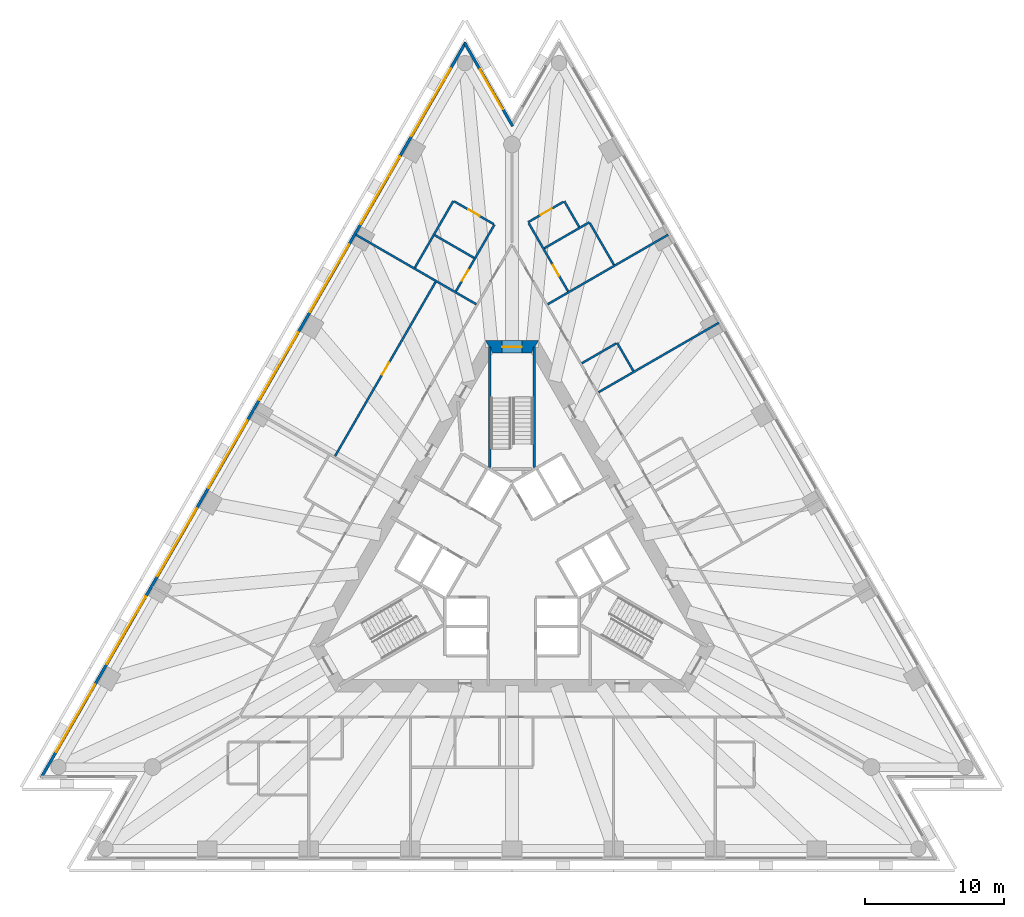
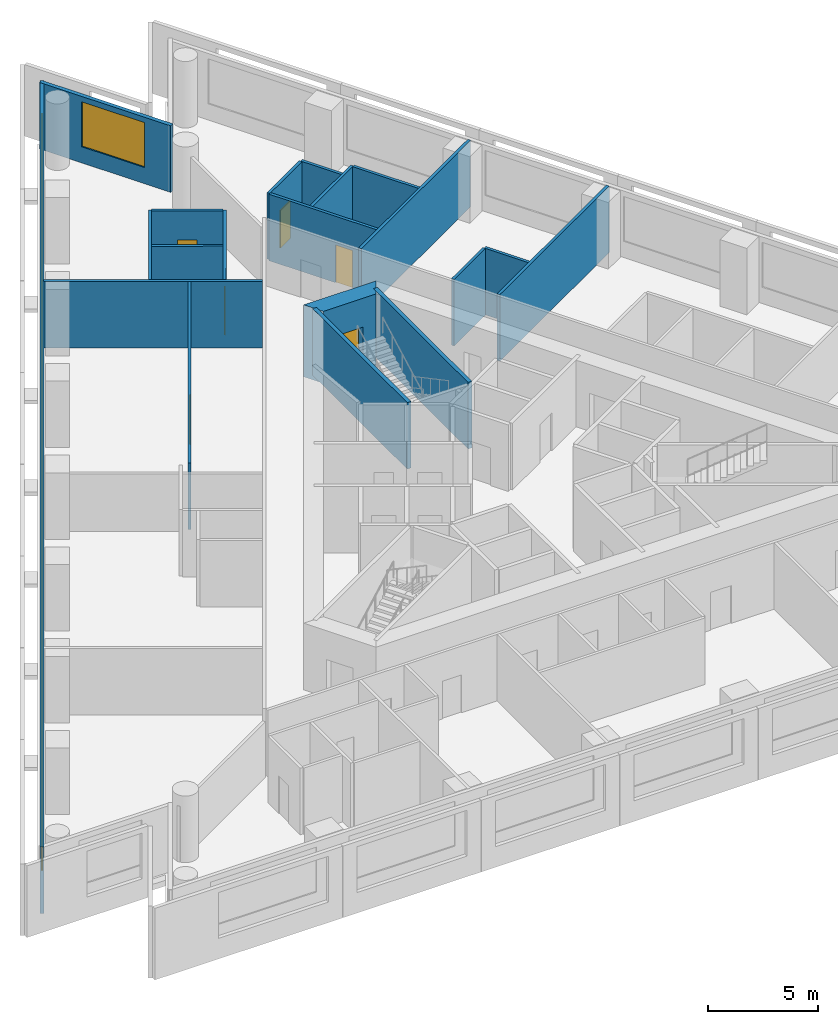
# One storey, part 7 of 11: 20 walls, 9 windows, 6 doors, 15 openings.
"""IFC4 building model written with IfcOpenShell, lengths in metres."""

import ifcopenshell
import ifcopenshell.guid

model = None  # the IFC model being written
_history = None  # IfcOwnerHistory: only IFC2X3 demands one
_inside = {}  # id of a spatial element -> (the spatial element, [elements in it])
_under = {}  # id of a project, library or spatial element -> (it, [spatial elements below it])
_declared = {}  # id of a project -> (the project, [libraries it declares])
_typed = {}  # id of a type object -> (the type object, [elements of that type])
_made_of = {}  # id of a material, layer set ... -> (it, [elements and type objects made of it])


def new_model(schema):
    """Start an empty IFC model of exactly this schema.

    Asked for "IFC4X3", IfcOpenShell would pick the latest addendum, in which some entities
    have other attributes; the version numbers below select the first issue.
    IFC2X3 requires an IfcOwnerHistory on every rooted entity: one is made here for all.
    """
    global model, _history
    if schema == "IFC4X3":
        model = ifcopenshell.file(schema_version=(4, 3, 0, 0))
    else:
        model = ifcopenshell.file(schema=schema)
    _inside.clear()
    _under.clear()
    _declared.clear()
    _typed.clear()
    _made_of.clear()
    _history = None
    if model.schema == "IFC2X3":
        org = make("IfcOrganization", Name="unknown")
        user = make(
            "IfcPersonAndOrganization",
            ThePerson=make("IfcPerson", FamilyName="unknown"),
            TheOrganization=org,
        )
        app = make(
            "IfcApplication",
            ApplicationDeveloper=org,
            Version="unknown",
            ApplicationFullName="unknown",
            ApplicationIdentifier="unknown",
        )
        _history = make(
            "IfcOwnerHistory",
            OwningUser=user,
            OwningApplication=app,
            ChangeAction="ADDED",
            CreationDate=0,
        )
    return model


def make(cls, **values):
    """One entity of the class cls with the attributes given. An attribute that is None is left unset."""
    return model.create_entity(
        cls, **{name: value for name, value in values.items() if value is not None}
    )


def rooted(cls, **values):
    """An entity with a GlobalId (a new one), such as an element, a storey or a relation."""
    return make(cls, GlobalId=ifcopenshell.guid.new(), OwnerHistory=_history, **values)


def si_unit(unit_type, name, prefix=None):
    """IfcSIUnit, for example si_unit("LENGTHUNIT", "METRE", prefix="MILLI")."""
    return make("IfcSIUnit", UnitType=unit_type, Prefix=prefix, Name=name)


def assignment(units):
    """IfcUnitAssignment: the units of a project."""
    return None if units is None else make("IfcUnitAssignment", Units=units)


def point(xyz):
    """IfcCartesianPoint."""
    return None if xyz is None else make("IfcCartesianPoint", Coordinates=xyz)


def direction(xyz):
    """IfcDirection."""
    return None if xyz is None else make("IfcDirection", DirectionRatios=xyz)


def frame(location, z_axis=None, x_axis=None):
    """IfcAxis2Placement3D, a coordinate frame: its origin and axes. An axis left out is left unset."""
    return make(
        "IfcAxis2Placement3D",
        Location=point(location),
        Axis=direction(z_axis),
        RefDirection=direction(x_axis),
    )


def frame_2d(location, x_axis=None):
    """IfcAxis2Placement2D, a coordinate frame in the plane: its origin and x axis."""
    return make(
        "IfcAxis2Placement2D", Location=point(location), RefDirection=direction(x_axis)
    )


def origin():
    """The frame at (0, 0, 0) with its axes left unset."""
    return frame((0.0, 0.0, 0.0))


def place(relative_to, where):
    """IfcLocalPlacement: puts the frame where relative to a parent placement (None: the world)."""
    return make(
        "IfcLocalPlacement", PlacementRelTo=relative_to, RelativePlacement=where
    )


def context(
    kind, dimensions, precision=None, world=None, true_north=None, identifier=None
):
    """IfcGeometricRepresentationContext, for example the 3D "Model" context."""
    return make(
        "IfcGeometricRepresentationContext",
        ContextIdentifier=identifier,
        ContextType=kind,
        CoordinateSpaceDimension=dimensions,
        Precision=precision,
        WorldCoordinateSystem=world,
        TrueNorth=true_north,
    )


def subcontext(parent, identifier, kind, view, scale=None):
    """IfcGeometricRepresentationSubContext, for example "Body" below "Model"."""
    return make(
        "IfcGeometricRepresentationSubContext",
        ContextIdentifier=identifier,
        ContextType=kind,
        ParentContext=parent,
        TargetScale=scale,
        TargetView=view,
    )


def project(units=None, contexts=None):
    """IfcProject with its units and contexts."""
    return rooted(
        "IfcProject",
        Name="project",
        RepresentationContexts=contexts,
        UnitsInContext=assignment(units),
    )


def spatial(cls, under=None, at=None, **own):
    """A site, building, storey or space (cls), placed at a placement, below another one or the project."""
    s = rooted(cls, ObjectPlacement=at, **own)
    if under is not None:
        _under.setdefault(under.id(), (under, []))[1].append(s)
    return s


def polyline(points):
    """IfcPolyline through the points."""
    return make("IfcPolyline", Points=[point(p) for p in points])


def profile(cls, at=None, kind="AREA", **sizes):
    """A parametric profile (cls). Its sizes go by their IFC names, for example OverallWidth=200.0."""
    return make(cls, ProfileType=kind, Position=at, **sizes)


def rectangle(**sizes):
    """IfcRectangleProfileDef."""
    return profile("IfcRectangleProfileDef", **sizes)


def outline(outer, holes=None, kind="AREA"):
    """IfcArbitraryClosedProfileDef: a profile drawn as a closed curve; with holes, ...WithVoids."""
    if holes is None:
        return make("IfcArbitraryClosedProfileDef", ProfileType=kind, OuterCurve=outer)
    return make(
        "IfcArbitraryProfileDefWithVoids",
        ProfileType=kind,
        OuterCurve=outer,
        InnerCurves=holes,
    )


def extrude(swept, where, along, depth):
    """IfcExtrudedAreaSolid: the profile swept, set in the frame where, extruded along a direction by depth."""
    return make(
        "IfcExtrudedAreaSolid",
        SweptArea=swept,
        Position=where,
        ExtrudedDirection=direction(along),
        Depth=depth,
    )


def shape(context_of_items, identifier, shape_type, items):
    """IfcShapeRepresentation: the items that make up one representation, for example the "Body"."""
    return make(
        "IfcShapeRepresentation",
        ContextOfItems=context_of_items,
        RepresentationIdentifier=identifier,
        RepresentationType=shape_type,
        Items=items,
    )


def material(Name=None, Category=None):
    """IfcMaterial."""
    return make("IfcMaterial", Name=Name, Category=Category)


def layer(
    of_material, thickness, ventilated=None, Name=None, Category=None, Priority=None
):
    """IfcMaterialLayer: one layer of a wall or slab, of a material (None: an air gap)."""
    return make(
        "IfcMaterialLayer",
        Material=of_material,
        LayerThickness=thickness,
        IsVentilated=ventilated,
        Name=Name,
        Category=Category,
        Priority=Priority,
    )


def layer_set(layers, Name=None):
    """IfcMaterialLayerSet."""
    return make("IfcMaterialLayerSet", MaterialLayers=layers, LayerSetName=Name)


def layer_usage(for_layer_set, set_direction, sense, offset, extent=None):
    """IfcMaterialLayerSetUsage: how a layer set lies in its element."""
    return make(
        "IfcMaterialLayerSetUsage",
        ForLayerSet=for_layer_set,
        LayerSetDirection=set_direction,
        DirectionSense=sense,
        OffsetFromReferenceLine=offset,
        ReferenceExtent=extent,
    )


def made_of(thing, what):
    """Note that an element or type object is made of a material, layer set ...; save() writes the relation."""
    if what is not None:
        _made_of.setdefault(what.id(), (what, []))[1].append(thing)
    return thing


def type_object(cls, material=None, **own):
    """A type object (cls), such as IfcWallType, which elements share."""
    return made_of(rooted(cls, **own), material)


def element(
    cls,
    number,
    at=None,
    inside=None,
    cuts=None,
    type_object=None,
    material=None,
    context=None,
    identifier="Body",
    shape_type=None,
    held_by="IfcProductDefinitionShape",
    body=None,
    shapes=None,
    **own,
):
    """One element of the class cls, such as IfcWall. Its Tag is "e" and its number.

    at: its placement. inside: the storey or other place that contains it. cuts: it is an
    opening in that element (IfcRelVoidsElement). A single representation is given by context,
    identifier, shape_type and body (its items); several are given by shapes. held_by: the class
    of the entity that holds the representations. save() writes the other relations.
    """
    e = rooted(cls, Tag="e%d" % number, ObjectPlacement=at, **own)
    if body is not None:
        shapes = [shape(context, identifier, shape_type, body)]
    if shapes is not None:
        e.Representation = make(held_by, Representations=shapes)
    if inside is not None:
        _inside.setdefault(inside.id(), (inside, []))[1].append(e)
    if cuts is not None:
        rooted(
            "IfcRelVoidsElement", RelatingBuildingElement=cuts, RelatedOpeningElement=e
        )
    if type_object is not None:
        _typed.setdefault(type_object.id(), (type_object, []))[1].append(e)
    return made_of(e, material)


def fill(opening, filler):
    """IfcRelFillsElement: the door or window that sits in an opening."""
    return rooted(
        "IfcRelFillsElement",
        RelatingOpeningElement=opening,
        RelatedBuildingElement=filler,
    )


def aggregate(whole, parts):
    """IfcRelAggregates: a whole, such as a stair, and the parts it consists of."""
    return rooted("IfcRelAggregates", RelatingObject=whole, RelatedObjects=parts)


def save(model, path):
    """Write the relations noted so far, then the file.

    IfcRelAggregates (storeys below a building ...), IfcRelContainedInSpatialStructure (elements
    in a storey), IfcRelDefinesByType, IfcRelAssociatesMaterial and IfcRelDeclares: one each for
    every whole, place, type object, material and project.
    """
    for whole, parts in _under.values():
        aggregate(whole, parts)
    for where, things in _inside.values():
        rooted(
            "IfcRelContainedInSpatialStructure",
            RelatedElements=things,
            RelatingStructure=where,
        )
    for kind, things in _typed.values():
        rooted("IfcRelDefinesByType", RelatedObjects=things, RelatingType=kind)
    for what, things in _made_of.values():
        rooted("IfcRelAssociatesMaterial", RelatedObjects=things, RelatingMaterial=what)
    for by, libraries in _declared.values():
        rooted("IfcRelDeclares", RelatingContext=by, RelatedDefinitions=libraries)
    model.write(path)


model = new_model("IFC4")

# Units and contexts
model_context = context("Model", 3, precision=1e-05, world=origin(), true_north=direction((0.0, 1.0)))
body_context = subcontext(model_context, "Body", "Model", "MODEL_VIEW")
ifc_project = project(units=[si_unit("LENGTHUNIT", "METRE"), si_unit("AREAUNIT", "SQUARE_METRE"), si_unit("VOLUMEUNIT", "CUBIC_METRE"), si_unit("PLANEANGLEUNIT", "RADIAN"), si_unit("MASSUNIT", "GRAM", prefix="KILO")], contexts=[model_context])

# Site, building, storey
site_placement = place(None, origin())
site = spatial("IfcSite", under=ifc_project, at=site_placement, CompositionType="ELEMENT")
building_placement = place(site_placement, origin())
building = spatial("IfcBuilding", under=site, at=building_placement, Name="Triada Interchange Tower", CompositionType="ELEMENT")
storey_placement = place(building_placement, frame((0.0, 0.0, 75.300048828125)))
storey = spatial("IfcBuildingStorey", under=building, at=storey_placement, Name="L16", CompositionType="ELEMENT", Elevation=75.300048828125)

# Walls
ifc_material_1 = material(Name="Concrete C30/37", Category="concrete")
ifc_layer_1 = layer(ifc_material_1, 0.199951171875)
ifc_layer_set_1 = layer_set([ifc_layer_1], Name="CORE WALL 200 REI 240")
wall_type_1 = type_object("IfcWallType", Name="CORE WALL 200 REI 240", PredefinedType="SOLIDWALL", material=ifc_layer_set_1)
for number, where, z_axis, x_axis, name in (
    (1, (1.60009765625, 6.614990234375, 0.0), (0.0, 0.0, 1.0), (0.0, 1.0, 0.0), "Wall L15 96"),
    (2, (-1.60009765625, 6.614990234375, 0.0), (0.0, 0.0, 1.0), (0.0, 1.0, 0.0), "Wall L15 98"),
):
    element("IfcWall", number, at=place(storey_placement, frame(where, z_axis=z_axis, x_axis=x_axis)), inside=storey, type_object=wall_type_1, Name=name, PredefinedType="SOLIDWALL", context=body_context, shape_type="SweptSolid", body=[
        extrude(rectangle(XDim=8.614990234375, YDim=0.199951171875, at=frame_2d((4.3076171875, 0.0))), origin(), (0.0, 0.0, 1.0), 3.699951171875),
    ])

# Wall, opening, door
ifc_material_2 = material(Name="Concrete C70/85", Category="concrete")
ifc_layer_2 = layer(ifc_material_2, 0.89990234375)
ifc_layer_set_2 = layer_set([ifc_layer_2], Name="Core wall A 900")
wall_type_2 = type_object("IfcWallType", Name="Core wall A 900", PredefinedType="SHEAR", material=ifc_layer_set_2)
wall_1_placement = place(storey_placement, frame((1.64501953125, 15.25, -0.300048828125), z_axis=(0.0, 0.0, 1.0), x_axis=(-1.0, 0.0, 0.0)))
wall_1 = element("IfcWall", 3, at=wall_1_placement, inside=storey, type_object=wall_type_2, Name="Core wall WA01 L16", PredefinedType="SHEAR", context=body_context, shape_type="SweptSolid", body=[
    extrude(outline(polyline([(-0.260009765625, -0.449951171875), (1.64501953125, -0.449951171875), (3.550048828125, -0.449951171875), (3.031005859375, 0.449951171875), (1.64501953125, 0.449951171875), (0.259033203125, 0.449951171875), (-0.260009765625, -0.449951171875)])), origin(), (0.0, 0.0, 1.0), 4.0),
])
opening_1_placement = place(wall_1_placement, frame((0.945068359375, 0.0, 0.300048828125)))
opening_1 = element("IfcOpeningElement", 4, at=opening_1_placement, cuts=wall_1, Name="Opening D15-44", PredefinedType="OPENING", context=body_context, shape_type="SweptSolid", body=[
    extrude(rectangle(XDim=1.39990234375, YDim=2.10009765625, at=frame_2d((0.699951171875, 1.050048828125))), frame((0.0, 0.4599609375, 0.0), z_axis=(0.0, -1.0, 0.0), x_axis=(1.0, 0.0, 0.0)), (0.0, 0.0, 1.0), 0.919921875),
])
ifc_material_3 = material(Name="Steel S235 door leaf", Category="steel")
door_type_1 = type_object("IfcDoorType", Name="STAIR DOOR 1400 EI2 90-C5S200", OperationType="DOUBLE_DOOR_SINGLE_SWING", PredefinedType="DOOR", material=ifc_material_3)
door_1_placement = place(opening_1_placement, origin())
door_1 = element("IfcDoor", 5, at=door_1_placement, inside=storey, type_object=door_type_1, Name="Door D15-44 L16", OperationType="DOUBLE_DOOR_SINGLE_SWING", OverallHeight=2.10009765625, OverallWidth=1.39990234375, PredefinedType="DOOR", context=body_context, shape_type="SweptSolid", body=[
    extrude(rectangle(XDim=1.39990234375, YDim=2.10009765625, at=frame_2d((0.699951171875, 1.050048828125))), frame((0.0, 0.02490234375, 0.0), z_axis=(0.0, -1.0, 0.0), x_axis=(1.0, 0.0, 0.0)), (0.0, 0.0, 1.0), 0.050048828125),
])
fill(opening_1, door_1)

# Wall, openings, windows
ifc_material_4 = material(Name="Cement board")
ifc_layer_3 = layer(ifc_material_4, 0.02001953125, Name="Cement board cladding")
ifc_material_5 = material(Name="Sheathing board")
ifc_layer_4 = layer(ifc_material_5, 0.014892578125, Name="Sheathing board")
ifc_material_6 = material(Name="Mineral wool")
ifc_layer_5 = layer(ifc_material_6, 0.14990234375, Name="Mineral wool between steel studs")
ifc_material_7 = material(Name="Gypsum board")
ifc_layer_6 = layer(ifc_material_7, 0.014892578125, Name="Plasterboard lining")
ifc_layer_set_3 = layer_set([ifc_layer_3, ifc_layer_4, ifc_layer_5, ifc_layer_6], Name="External wall 200")
ifc_layer_usage = layer_usage(ifc_layer_set_3, "AXIS2", "POSITIVE", -0.10009765625)
wall_type_3 = type_object("IfcWallType", Name="External wall 200", PredefinedType="ELEMENTEDWALL", material=ifc_layer_set_3)
wall_2_placement = place(storey_placement, frame((-3.325927734375, 37.083984375, 0.0), z_axis=(0.0, 0.0, 1.0), x_axis=(-0.500000131003, -0.86602532815, 0.0)))
wall_2 = element("IfcWall", 6, at=wall_2_placement, inside=storey, type_object=wall_type_3, material=ifc_layer_usage, Name="External wall L16 NW", PredefinedType="ELEMENTEDWALL", context=body_context, shape_type="SweptSolid", body=[
    extrude(rectangle(XDim=60.88623046875, YDim=0.199951171875, at=frame_2d((30.443115234375, 0.0))), origin(), (0.0, 0.0, 1.0), 3.699951171875),
])
opening_2_placement = place(wall_2_placement, frame((2.14599609375, 0.0, 0.89990234375)))
opening_2 = element("IfcOpeningElement", 7, at=opening_2_placement, cuts=wall_2, Name="Opening WA01", PredefinedType="OPENING", context=body_context, shape_type="SweptSolid", body=[
    extrude(rectangle(XDim=5.60009765625, YDim=2.5, at=frame_2d((2.800048828125, 1.25))), frame((0.0, 0.10986328125, 0.0), z_axis=(0.0, -1.0, 0.0), x_axis=(1.0, 0.0, 0.0)), (0.0, 0.0, 1.0), 0.219970703125),
])
opening_3_placement = place(wall_2_placement, frame((9.43408203125, 0.0, 0.89990234375)))
opening_3 = element("IfcOpeningElement", 8, at=opening_3_placement, cuts=wall_2, Name="Opening WA02", PredefinedType="OPENING", context=body_context, shape_type="SweptSolid", body=[
    extrude(rectangle(XDim=5.60009765625, YDim=2.5, at=frame_2d((2.800048828125, 1.25))), frame((0.0, 0.10986328125, 0.0), z_axis=(0.0, -1.0, 0.0), x_axis=(1.0, 0.0, 0.0)), (0.0, 0.0, 1.0), 0.219970703125),
])
opening_4_placement = place(wall_2_placement, frame((16.720947265625, 0.0, 0.89990234375)))
opening_4 = element("IfcOpeningElement", 9, at=opening_4_placement, cuts=wall_2, Name="Opening WA03", PredefinedType="OPENING", context=body_context, shape_type="SweptSolid", body=[
    extrude(rectangle(XDim=5.60009765625, YDim=2.5, at=frame_2d((2.800048828125, 1.25))), frame((0.0, 0.10986328125, 0.0), z_axis=(0.0, -1.0, 0.0), x_axis=(1.0, 0.0, 0.0)), (0.0, 0.0, 1.0), 0.219970703125),
])
opening_5_placement = place(wall_2_placement, frame((24.009033203125, 0.0, 0.89990234375)))
opening_5 = element("IfcOpeningElement", 10, at=opening_5_placement, cuts=wall_2, Name="Opening WA04", PredefinedType="OPENING", context=body_context, shape_type="SweptSolid", body=[
    extrude(rectangle(XDim=5.60009765625, YDim=2.5, at=frame_2d((2.800048828125, 1.25))), frame((0.0, 0.10986328125, 0.0), z_axis=(0.0, -1.0, 0.0), x_axis=(1.0, 0.0, 0.0)), (0.0, 0.0, 1.0), 0.219970703125),
])
opening_6_placement = place(wall_2_placement, frame((31.297119140625, 0.0, 0.89990234375)))
opening_6 = element("IfcOpeningElement", 11, at=opening_6_placement, cuts=wall_2, Name="Opening WA05", PredefinedType="OPENING", context=body_context, shape_type="SweptSolid", body=[
    extrude(rectangle(XDim=5.60009765625, YDim=2.5, at=frame_2d((2.800048828125, 1.25))), frame((0.0, 0.10986328125, 0.0), z_axis=(0.0, -1.0, 0.0), x_axis=(1.0, 0.0, 0.0)), (0.0, 0.0, 1.0), 0.219970703125),
])
opening_7_placement = place(wall_2_placement, frame((38.583984375, 0.0, 0.89990234375)))
opening_7 = element("IfcOpeningElement", 12, at=opening_7_placement, cuts=wall_2, Name="Opening WA06", PredefinedType="OPENING", context=body_context, shape_type="SweptSolid", body=[
    extrude(rectangle(XDim=5.60009765625, YDim=2.5, at=frame_2d((2.800048828125, 1.25))), frame((0.0, 0.10986328125, 0.0), z_axis=(0.0, -1.0, 0.0), x_axis=(1.0, 0.0, 0.0)), (0.0, 0.0, 1.0), 0.219970703125),
])
opening_8_placement = place(wall_2_placement, frame((45.8720703125, 0.0, 0.89990234375)))
opening_8 = element("IfcOpeningElement", 13, at=opening_8_placement, cuts=wall_2, Name="Opening WA07", PredefinedType="OPENING", context=body_context, shape_type="SweptSolid", body=[
    extrude(rectangle(XDim=5.60009765625, YDim=2.5, at=frame_2d((2.800048828125, 1.25))), frame((0.0, 0.10986328125, 0.0), z_axis=(0.0, -1.0, 0.0), x_axis=(1.0, 0.0, 0.0)), (0.0, 0.0, 1.0), 0.219970703125),
])
opening_9_placement = place(wall_2_placement, frame((53.158935546875, 0.0, 0.89990234375)))
opening_9 = element("IfcOpeningElement", 14, at=opening_9_placement, cuts=wall_2, Name="Opening WA08", PredefinedType="OPENING", context=body_context, shape_type="SweptSolid", body=[
    extrude(rectangle(XDim=5.60009765625, YDim=2.5, at=frame_2d((2.800048828125, 1.25))), frame((0.0, 0.10986328125, 0.0), z_axis=(0.0, -1.0, 0.0), x_axis=(1.0, 0.0, 0.0)), (0.0, 0.0, 1.0), 0.219970703125),
])
ifc_material_8 = material(Name="Double glazed aluminium window", Category="aluminium")
window_type_1 = type_object("IfcWindowType", Name="Ribbon window A face", PartitioningType="SINGLE_PANEL", PredefinedType="WINDOW", material=ifc_material_8)
window_1_placement = place(opening_2_placement, origin())
window_1 = element("IfcWindow", 15, at=window_1_placement, inside=storey, type_object=window_type_1, Name="Window L16 NW 1", OverallHeight=2.5, OverallWidth=5.60009765625, PartitioningType="SINGLE_PANEL", PredefinedType="WINDOW", context=body_context, shape_type="SweptSolid", body=[
    extrude(rectangle(XDim=5.60009765625, YDim=2.5, at=frame_2d((2.800048828125, 1.25))), frame((0.0, 0.030029296875, 0.0), z_axis=(0.0, -1.0, 0.0), x_axis=(1.0, 0.0, 0.0)), (0.0, 0.0, 1.0), 0.06005859375),
])
fill(opening_2, window_1)
window_2_placement = place(opening_3_placement, origin())
window_2 = element("IfcWindow", 16, at=window_2_placement, inside=storey, type_object=window_type_1, Name="Window L16 NW 2", OverallHeight=2.5, OverallWidth=5.60009765625, PartitioningType="SINGLE_PANEL", PredefinedType="WINDOW", context=body_context, shape_type="SweptSolid", body=[
    extrude(rectangle(XDim=5.60009765625, YDim=2.5, at=frame_2d((2.800048828125, 1.25))), frame((0.0, 0.030029296875, 0.0), z_axis=(0.0, -1.0, 0.0), x_axis=(1.0, 0.0, 0.0)), (0.0, 0.0, 1.0), 0.06005859375),
])
fill(opening_3, window_2)
window_3_placement = place(opening_4_placement, origin())
window_3 = element("IfcWindow", 17, at=window_3_placement, inside=storey, type_object=window_type_1, Name="Window L16 NW 3", OverallHeight=2.5, OverallWidth=5.60009765625, PartitioningType="SINGLE_PANEL", PredefinedType="WINDOW", context=body_context, shape_type="SweptSolid", body=[
    extrude(rectangle(XDim=5.60009765625, YDim=2.5, at=frame_2d((2.800048828125, 1.25))), frame((0.0, 0.030029296875, 0.0), z_axis=(0.0, -1.0, 0.0), x_axis=(1.0, 0.0, 0.0)), (0.0, 0.0, 1.0), 0.06005859375),
])
fill(opening_4, window_3)
window_4_placement = place(opening_5_placement, origin())
window_4 = element("IfcWindow", 18, at=window_4_placement, inside=storey, type_object=window_type_1, Name="Window L16 NW 4", OverallHeight=2.5, OverallWidth=5.60009765625, PartitioningType="SINGLE_PANEL", PredefinedType="WINDOW", context=body_context, shape_type="SweptSolid", body=[
    extrude(rectangle(XDim=5.60009765625, YDim=2.5, at=frame_2d((2.800048828125, 1.25))), frame((0.0, 0.030029296875, 0.0), z_axis=(0.0, -1.0, 0.0), x_axis=(1.0, 0.0, 0.0)), (0.0, 0.0, 1.0), 0.06005859375),
])
fill(opening_5, window_4)
window_5_placement = place(opening_6_placement, origin())
window_5 = element("IfcWindow", 19, at=window_5_placement, inside=storey, type_object=window_type_1, Name="Window L16 NW 5", OverallHeight=2.5, OverallWidth=5.60009765625, PartitioningType="SINGLE_PANEL", PredefinedType="WINDOW", context=body_context, shape_type="SweptSolid", body=[
    extrude(rectangle(XDim=5.60009765625, YDim=2.5, at=frame_2d((2.800048828125, 1.25))), frame((0.0, 0.030029296875, 0.0), z_axis=(0.0, -1.0, 0.0), x_axis=(1.0, 0.0, 0.0)), (0.0, 0.0, 1.0), 0.06005859375),
])
fill(opening_6, window_5)
window_6_placement = place(opening_7_placement, origin())
window_6 = element("IfcWindow", 20, at=window_6_placement, inside=storey, type_object=window_type_1, Name="Window L16 NW 6", OverallHeight=2.5, OverallWidth=5.60009765625, PartitioningType="SINGLE_PANEL", PredefinedType="WINDOW", context=body_context, shape_type="SweptSolid", body=[
    extrude(rectangle(XDim=5.60009765625, YDim=2.5, at=frame_2d((2.800048828125, 1.25))), frame((0.0, 0.030029296875, 0.0), z_axis=(0.0, -1.0, 0.0), x_axis=(1.0, 0.0, 0.0)), (0.0, 0.0, 1.0), 0.06005859375),
])
fill(opening_7, window_6)
window_7_placement = place(opening_8_placement, origin())
window_7 = element("IfcWindow", 21, at=window_7_placement, inside=storey, type_object=window_type_1, Name="Window L16 NW 7", OverallHeight=2.5, OverallWidth=5.60009765625, PartitioningType="SINGLE_PANEL", PredefinedType="WINDOW", context=body_context, shape_type="SweptSolid", body=[
    extrude(rectangle(XDim=5.60009765625, YDim=2.5, at=frame_2d((2.800048828125, 1.25))), frame((0.0, 0.030029296875, 0.0), z_axis=(0.0, -1.0, 0.0), x_axis=(1.0, 0.0, 0.0)), (0.0, 0.0, 1.0), 0.06005859375),
])
fill(opening_8, window_7)
window_8_placement = place(opening_9_placement, origin())
window_8 = element("IfcWindow", 22, at=window_8_placement, inside=storey, type_object=window_type_1, Name="Window L16 NW 8", OverallHeight=2.5, OverallWidth=5.60009765625, PartitioningType="SINGLE_PANEL", PredefinedType="WINDOW", context=body_context, shape_type="SweptSolid", body=[
    extrude(rectangle(XDim=5.60009765625, YDim=2.5, at=frame_2d((2.800048828125, 1.25))), frame((0.0, 0.030029296875, 0.0), z_axis=(0.0, -1.0, 0.0), x_axis=(1.0, 0.0, 0.0)), (0.0, 0.0, 1.0), 0.06005859375),
])
fill(opening_9, window_8)

# Wall, opening, window
wall_3_placement = place(storey_placement, frame((0.044921875, 31.090087890625, 0.0), z_axis=(0.0, 0.0, 1.0), x_axis=(-0.500023561059, 0.866011800373, 0.0)))
wall_3 = element("IfcWall", 23, at=wall_3_placement, inside=storey, type_object=wall_type_3, material=ifc_layer_usage, Name="External wall L16 N-2", PredefinedType="ELEMENTEDWALL", context=body_context, shape_type="SweptSolid", body=[
    extrude(rectangle(XDim=6.901611328125, YDim=0.199951171875, at=frame_2d((3.45068359375, 0.0))), origin(), (0.0, 0.0, 1.0), 3.699951171875),
])
opening_10_placement = place(wall_3_placement, frame((1.389892578125, 0.0, 0.89990234375)))
opening_10 = element("IfcOpeningElement", 24, at=opening_10_placement, cuts=wall_3, Name="Opening WA30", PredefinedType="OPENING", context=body_context, shape_type="SweptSolid", body=[
    extrude(rectangle(XDim=3.300048828125, YDim=2.5, at=frame_2d((1.64990234375, 1.25))), frame((0.0, 0.10986328125, 0.0), z_axis=(0.0, -1.0, 0.0), x_axis=(1.0, 0.0, 0.0)), (0.0, 0.0, 1.0), 0.219970703125),
])
window_type_2 = type_object("IfcWindowType", Name="Ribbon window A pocket", PartitioningType="SINGLE_PANEL", PredefinedType="WINDOW", material=ifc_material_8)
window_9_placement = place(opening_10_placement, origin())
window_9 = element("IfcWindow", 25, at=window_9_placement, inside=storey, type_object=window_type_2, Name="Window L16 N-2 1", OverallHeight=2.5, OverallWidth=3.300048828125, PartitioningType="SINGLE_PANEL", PredefinedType="WINDOW", context=body_context, shape_type="SweptSolid", body=[
    extrude(rectangle(XDim=3.300048828125, YDim=2.5, at=frame_2d((1.64990234375, 1.25))), frame((0.0, 0.030029296875, 0.0), z_axis=(0.0, -1.0, 0.0), x_axis=(1.0, 0.0, 0.0)), (0.0, 0.0, 1.0), 0.06005859375),
])
fill(opening_10, window_9)

# Walls
ifc_material_9 = material(Name="Gypsum board partition")
ifc_layer_7 = layer(ifc_material_9, 0.14990234375)
ifc_layer_set_4 = layer_set([ifc_layer_7], Name="PARTITION 150 EI 180")
wall_type_4 = type_object("IfcWallType", Name="PARTITION 150 EI 180", PredefinedType="PARTITIONING", material=ifc_layer_set_4)
for number, where, z_axis, x_axis, name in (
    (26, (-11.195068359375, 23.2939453125, 0.0), (0.0, 0.0, 1.0), (0.866018758693, -0.500011509459, 0.0), "Wall L15 14"),
    (27, (2.56298828125, 18.31005859375, 0.0), (0.0, 0.0, 1.0), (0.866018758693, 0.500011509459, 0.0), "Wall L15 22"),
):
    element("IfcWall", number, at=place(storey_placement, frame(where, z_axis=z_axis, x_axis=x_axis)), inside=storey, type_object=wall_type_4, Name=name, PredefinedType="PARTITIONING", context=body_context, shape_type="SweptSolid", body=[
        extrude(rectangle(XDim=9.967529296875, YDim=0.14990234375, at=frame_2d((4.98388671875, 0.0))), origin(), (0.0, 0.0, 1.0), 3.699951171875),
    ])
wall_4_placement = place(storey_placement, frame((7.5400390625, 15.5400390625, 0.0), z_axis=(0.0, 0.0, 1.0), x_axis=(0.499988999718, -0.866031754707, 0.0)))
element("IfcWall", 28, at=wall_4_placement, inside=storey, type_object=wall_type_4, Name="Wall L15 23", PredefinedType="PARTITIONING", context=body_context, shape_type="SweptSolid", body=[
    extrude(rectangle(XDim=2.32568359375, YDim=0.14990234375, at=frame_2d((1.162841796875, 0.0))), origin(), (0.0, 0.0, 1.0), 3.699951171875),
])
wall_5_placement = place(storey_placement, frame((5.007080078125, 14.076904296875, 0.0), z_axis=(0.0, 0.0, 1.0), x_axis=(0.866090043625, 0.499888023795, 0.0)))
element("IfcWall", 29, at=wall_5_placement, inside=storey, type_object=wall_type_4, Name="Wall L15 24", PredefinedType="PARTITIONING", context=body_context, shape_type="SweptSolid", body=[
    extrude(rectangle(XDim=2.850830078125, YDim=0.14990234375, at=frame_2d((1.42529296875, 0.0))), origin(), (0.0, 0.0, 1.0), 3.699951171875),
])
wall_6_placement = place(storey_placement, frame((6.20703125, 11.9990234375, 0.0), z_axis=(0.0, 0.0, 1.0), x_axis=(0.866061182393, 0.499938024511, 0.0)))
element("IfcWall", 30, at=wall_6_placement, inside=storey, type_object=wall_type_4, Name="Wall L15 25", PredefinedType="PARTITIONING", context=body_context, shape_type="SweptSolid", body=[
    extrude(rectangle(XDim=9.967041015625, YDim=0.14990234375, at=frame_2d((4.9833984375, 0.0))), origin(), (0.0, 0.0, 1.0), 3.699951171875),
])

# Wall, opening, door
ifc_layer_8 = layer(ifc_material_9, 0.14990234375)
ifc_layer_set_5 = layer_set([ifc_layer_8], Name="PARTITION 150 EI 90")
wall_type_5 = type_object("IfcWallType", Name="PARTITION 150 EI 90", PredefinedType="PARTITIONING", material=ifc_layer_set_5)
wall_7_placement = place(storey_placement, frame((-12.693115234375, 7.4150390625, 0.0), z_axis=(0.0, 0.0, 1.0), x_axis=(0.500017889033, 0.8660150753, 0.0)))
wall_7 = element("IfcWall", 31, at=wall_7_placement, inside=storey, type_object=wall_type_5, Name="Wall L15 40", PredefinedType="PARTITIONING", context=body_context, shape_type="SweptSolid", body=[
    extrude(rectangle(XDim=14.42578125, YDim=0.14990234375, at=frame_2d((7.212890625, 0.0))), origin(), (0.0, 0.0, 1.0), 3.699951171875),
])
opening_11_placement = place(wall_7_placement, frame((6.7509765625, 0.0, 0.0)))
opening_11 = element("IfcOpeningElement", 32, at=opening_11_placement, cuts=wall_7, Name="Opening D15-38", PredefinedType="OPENING", context=body_context, shape_type="SweptSolid", body=[
    extrude(rectangle(XDim=1.0, YDim=2.10009765625, at=frame_2d((0.5, 1.050048828125))), frame((0.0, 0.0849609375, 0.0), z_axis=(0.0, -1.0, 0.0), x_axis=(1.0, 0.0, 0.0)), (0.0, 0.0, 1.0), 0.169921875),
])
door_type_2 = type_object("IfcDoorType", Name="ROOM DOOR 1000 EI2 45-C5S200", OperationType="NOTDEFINED", PredefinedType="DOOR", material=ifc_material_3)
door_2_placement = place(opening_11_placement, origin())
door_2 = element("IfcDoor", 33, at=door_2_placement, inside=storey, type_object=door_type_2, Name="Door D15-38 L16", OperationType="SINGLE_SWING_LEFT", OverallHeight=2.10009765625, OverallWidth=1.0, PredefinedType="DOOR", context=body_context, shape_type="SweptSolid", body=[
    extrude(rectangle(XDim=1.0, YDim=2.10009765625, at=frame_2d((0.5, 1.050048828125))), frame((0.0, 0.02490234375, 0.0), z_axis=(0.0, -1.0, 0.0), x_axis=(1.0, 0.0, 0.0)), (0.0, 0.0, 1.0), 0.050048828125),
])
fill(opening_11, door_2)

# Wall
wall_8_placement = place(storey_placement, frame((-6.964111328125, 20.93798828125, 0.0), z_axis=(0.0, 0.0, 1.0), x_axis=(0.499950687084, 0.866053872738, 0.0)))
element("IfcWall", 34, at=wall_8_placement, inside=storey, type_object=wall_type_5, Name="Wall L15 41", PredefinedType="PARTITIONING", context=body_context, shape_type="SweptSolid", body=[
    extrude(rectangle(XDim=5.52490234375, YDim=0.14990234375, at=frame_2d((2.762451171875, 0.0))), origin(), (0.0, 0.0, 1.0), 3.699951171875),
])

# Wall, opening, door
wall_9_placement = place(storey_placement, frame((-4.02001953125, 19.238037109375, 0.0), z_axis=(0.0, 0.0, 1.0), x_axis=(0.500050108258, 0.865996471835, 0.0)))
wall_9 = element("IfcWall", 35, at=wall_9_placement, inside=storey, type_object=wall_type_5, Name="Wall L15 42", PredefinedType="PARTITIONING", context=body_context, shape_type="SweptSolid", body=[
    extrude(rectangle(XDim=5.525390625, YDim=0.14990234375, at=frame_2d((2.7626953125, 0.0))), origin(), (0.0, 0.0, 1.0), 3.699951171875),
])
opening_12_placement = place(wall_9_placement, frame((0.875, 0.0, 0.0)))
opening_12 = element("IfcOpeningElement", 36, at=opening_12_placement, cuts=wall_9, Name="Opening D15-35", PredefinedType="OPENING", context=body_context, shape_type="SweptSolid", body=[
    extrude(rectangle(XDim=0.89990234375, YDim=2.10009765625, at=frame_2d((0.449951171875, 1.050048828125))), frame((0.0, 0.0849609375, 0.0), z_axis=(0.0, -1.0, 0.0), x_axis=(1.0, 0.0, 0.0)), (0.0, 0.0, 1.0), 0.169921875),
])
door_type_3 = type_object("IfcDoorType", Name="ROOM DOOR 900 EI2 45-C5S200", OperationType="NOTDEFINED", PredefinedType="DOOR", material=ifc_material_3)
door_3_placement = place(opening_12_placement, origin())
door_3 = element("IfcDoor", 37, at=door_3_placement, inside=storey, type_object=door_type_3, Name="Door D15-35 L16", OperationType="SINGLE_SWING_LEFT", OverallHeight=2.10009765625, OverallWidth=0.89990234375, PredefinedType="DOOR", context=body_context, shape_type="SweptSolid", body=[
    extrude(rectangle(XDim=0.89990234375, YDim=2.10009765625, at=frame_2d((0.449951171875, 1.050048828125))), frame((0.0, 0.02490234375, 0.0), z_axis=(0.0, -1.0, 0.0), x_axis=(1.0, 0.0, 0.0)), (0.0, 0.0, 1.0), 0.050048828125),
])
fill(opening_12, door_3)

wall_10_placement = place(storey_placement, frame((-4.136962890625, 25.68505859375, 0.0), z_axis=(0.0, 0.0, 1.0), x_axis=(0.866053003207, -0.499952193351, 0.0)))
wall_10 = element("IfcWall", 38, at=wall_10_placement, inside=storey, type_object=wall_type_5, Name="Wall L15 43", PredefinedType="PARTITIONING", context=body_context, shape_type="SweptSolid", body=[
    extrude(rectangle(XDim=3.250244140625, YDim=0.14990234375, at=frame_2d((1.625, 0.0))), origin(), (0.0, 0.0, 1.0), 3.699951171875),
])
opening_13_placement = place(wall_10_placement, frame((1.175048828125, 0.0, 0.0)))
opening_13 = element("IfcOpeningElement", 39, at=opening_13_placement, cuts=wall_10, Name="Opening D15-36", PredefinedType="OPENING", context=body_context, shape_type="SweptSolid", body=[
    extrude(rectangle(XDim=0.89990234375, YDim=2.10009765625, at=frame_2d((0.449951171875, 1.050048828125))), frame((0.0, 0.0849609375, 0.0), z_axis=(0.0, -1.0, 0.0), x_axis=(1.0, 0.0, 0.0)), (0.0, 0.0, 1.0), 0.169921875),
])
door_4_placement = place(opening_13_placement, origin())
door_4 = element("IfcDoor", 40, at=door_4_placement, inside=storey, type_object=door_type_3, Name="Door D15-36 L16", OperationType="SINGLE_SWING_LEFT", OverallHeight=2.10009765625, OverallWidth=0.89990234375, PredefinedType="DOOR", context=body_context, shape_type="SweptSolid", body=[
    extrude(rectangle(XDim=0.89990234375, YDim=2.10009765625, at=frame_2d((0.449951171875, 1.050048828125))), frame((0.0, 0.02490234375, 0.0), z_axis=(0.0, -1.0, 0.0), x_axis=(1.0, 0.0, 0.0)), (0.0, 0.0, 1.0), 0.050048828125),
])
fill(opening_13, door_4)

# Walls
wall_11_placement = place(storey_placement, frame((-5.537109375, 23.260009765625, 0.0), z_axis=(0.0, 0.0, 1.0), x_axis=(0.866071776036, -0.499919672301, 0.0)))
element("IfcWall", 41, at=wall_11_placement, inside=storey, type_object=wall_type_5, Name="Wall L15 44", PredefinedType="PARTITIONING", context=body_context, shape_type="SweptSolid", body=[
    extrude(rectangle(XDim=3.25048828125, YDim=0.14990234375, at=frame_2d((1.625244140625, 0.0))), origin(), (0.0, 0.0, 1.0), 3.699951171875),
])
wall_12_placement = place(storey_placement, frame((2.322021484375, 22.327880859375, 0.0), z_axis=(0.0, 0.0, 1.0), x_axis=(0.865971665278, 0.500093066274, 0.0)))
element("IfcWall", 42, at=wall_12_placement, inside=storey, type_object=wall_type_5, Name="Wall L15 45", PredefinedType="PARTITIONING", context=body_context, shape_type="SweptSolid", body=[
    extrude(rectangle(XDim=3.725341796875, YDim=0.14990234375, at=frame_2d((1.86279296875, 0.0))), origin(), (0.0, 0.0, 1.0), 3.699951171875),
])
wall_13_placement = place(storey_placement, frame((3.7548828125, 25.696044921875, 0.0), z_axis=(0.0, 0.0, 1.0), x_axis=(0.500302479123, -0.865850696935, 0.0)))
element("IfcWall", 43, at=wall_13_placement, inside=storey, type_object=wall_type_5, Name="Wall L15 46", PredefinedType="PARTITIONING", context=body_context, shape_type="SweptSolid", body=[
    extrude(rectangle(XDim=2.125244140625, YDim=0.14990234375, at=frame_2d((1.0625, 0.0))), origin(), (0.0, 0.0, 1.0), 3.699951171875),
])

# Wall, opening, door
wall_14_placement = place(storey_placement, frame((1.156982421875, 24.196044921875, 0.0), z_axis=(0.0, 0.0, 1.0), x_axis=(0.866098016745, 0.499874209568, 0.0)))
wall_14 = element("IfcWall", 44, at=wall_14_placement, inside=storey, type_object=wall_type_5, Name="Wall L15 47", PredefinedType="PARTITIONING", context=body_context, shape_type="SweptSolid", body=[
    extrude(rectangle(XDim=2.924560546875, YDim=0.14990234375, at=frame_2d((1.46240234375, 0.0))), origin(), (0.0, 0.0, 1.0), 3.699951171875),
])
opening_14_placement = place(wall_14_placement, frame((1.050048828125, 0.0, 0.0)))
opening_14 = element("IfcOpeningElement", 45, at=opening_14_placement, cuts=wall_14, Name="Opening D15-33", PredefinedType="OPENING", context=body_context, shape_type="SweptSolid", body=[
    extrude(rectangle(XDim=0.89990234375, YDim=2.10009765625, at=frame_2d((0.449951171875, 1.050048828125))), frame((0.0, 0.0849609375, 0.0), z_axis=(0.0, -1.0, 0.0), x_axis=(1.0, 0.0, 0.0)), (0.0, 0.0, 1.0), 0.169921875),
])
door_type_4 = type_object("IfcDoorType", Name="SERVICE DOOR 900 EI2 45-C5S200", OperationType="NOTDEFINED", PredefinedType="DOOR", material=ifc_material_3)
door_5_placement = place(opening_14_placement, origin())
door_5 = element("IfcDoor", 46, at=door_5_placement, inside=storey, type_object=door_type_4, Name="Door D15-33 L16", OperationType="SINGLE_SWING_RIGHT", OverallHeight=2.10009765625, OverallWidth=0.89990234375, PredefinedType="DOOR", context=body_context, shape_type="SweptSolid", body=[
    extrude(rectangle(XDim=0.89990234375, YDim=2.10009765625, at=frame_2d((0.449951171875, 1.050048828125))), frame((0.0, 0.02490234375, 0.0), z_axis=(0.0, -1.0, 0.0), x_axis=(1.0, 0.0, 0.0)), (0.0, 0.0, 1.0), 0.050048828125),
])
fill(opening_14, door_5)

wall_15_placement = place(storey_placement, frame((1.195068359375, 24.131103515625, 0.0), z_axis=(0.0, 0.0, 1.0), x_axis=(0.499991765245, -0.86603015807, 0.0)))
wall_15 = element("IfcWall", 47, at=wall_15_placement, inside=storey, type_object=wall_type_5, Name="Wall L15 48", PredefinedType="PARTITIONING", context=body_context, shape_type="SweptSolid", body=[
    extrude(rectangle(XDim=5.64990234375, YDim=0.14990234375, at=frame_2d((2.824951171875, 0.0))), origin(), (0.0, 0.0, 1.0), 3.699951171875),
])
opening_15_placement = place(wall_15_placement, frame((3.47509765625, 0.0, 0.0)))
opening_15 = element("IfcOpeningElement", 48, at=opening_15_placement, cuts=wall_15, Name="Opening D15-32", PredefinedType="OPENING", context=body_context, shape_type="SweptSolid", body=[
    extrude(rectangle(XDim=0.89990234375, YDim=2.10009765625, at=frame_2d((0.449951171875, 1.050048828125))), frame((0.0, 0.0849609375, 0.0), z_axis=(0.0, -1.0, 0.0), x_axis=(1.0, 0.0, 0.0)), (0.0, 0.0, 1.0), 0.169921875),
])
door_6_placement = place(opening_15_placement, origin())
door_6 = element("IfcDoor", 49, at=door_6_placement, inside=storey, type_object=door_type_3, Name="Door D15-32 L16", OperationType="SINGLE_SWING_RIGHT", OverallHeight=2.10009765625, OverallWidth=0.89990234375, PredefinedType="DOOR", context=body_context, shape_type="SweptSolid", body=[
    extrude(rectangle(XDim=0.89990234375, YDim=2.10009765625, at=frame_2d((0.449951171875, 1.050048828125))), frame((0.0, 0.02490234375, 0.0), z_axis=(0.0, -1.0, 0.0), x_axis=(1.0, 0.0, 0.0)), (0.0, 0.0, 1.0), 0.050048828125),
])
fill(opening_15, door_6)

# Wall
wall_16_placement = place(storey_placement, frame((5.5849609375, 24.1259765625, 0.0), z_axis=(0.0, 0.0, 1.0), x_axis=(0.49998991961, -0.866031223622, 0.0)))
element("IfcWall", 50, at=wall_16_placement, inside=storey, type_object=wall_type_5, Name="Wall L15 49", PredefinedType="PARTITIONING", context=body_context, shape_type="SweptSolid", body=[
    extrude(rectangle(XDim=3.4501953125, YDim=0.14990234375, at=frame_2d((1.72509765625, 0.0))), origin(), (0.0, 0.0, 1.0), 3.699951171875),
])

save(model, "model.ifc")
